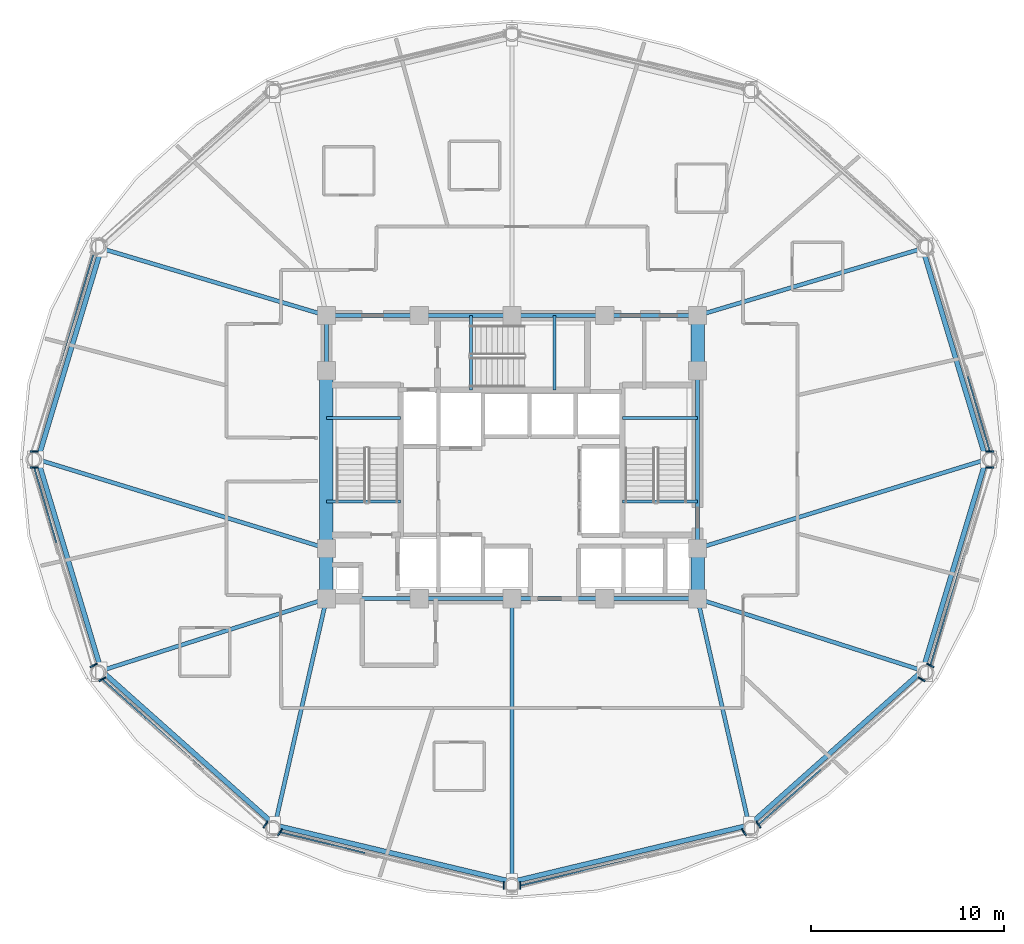
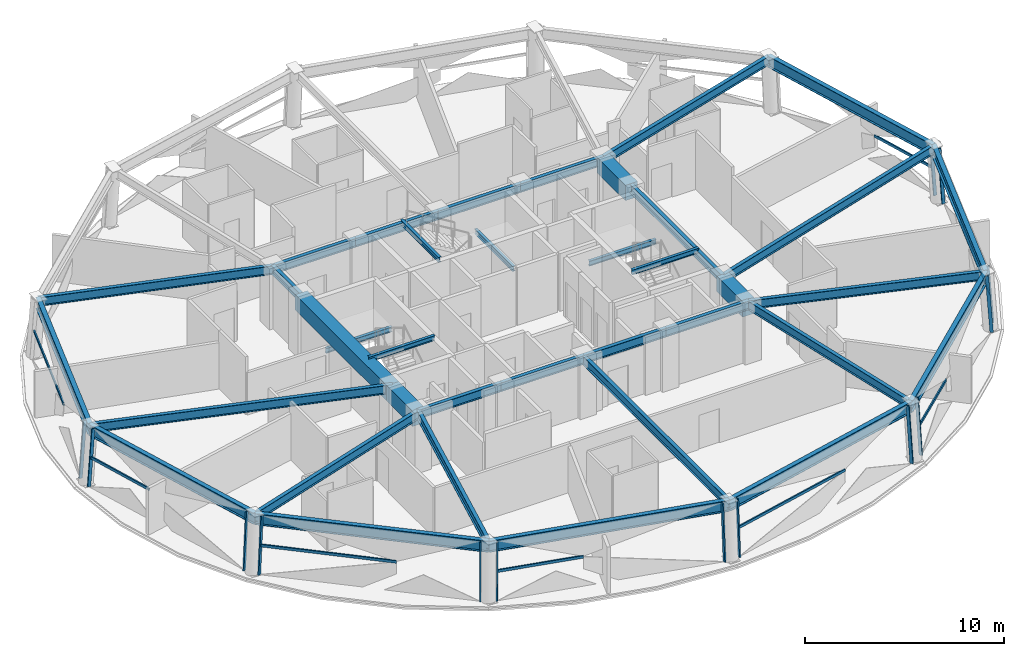
# One storey, part 2 of 12: 37 beams, 22 members, 8 elements without a shape of their own.
"""IFC4 building model written with IfcOpenShell, lengths in metres."""

from ifc_helpers import new_model, si_unit, direction, frame, origin, origin_2d, place, context, subcontext, project, spatial, rectangle, hollow_rectangle, i_section, extrude, material, layer, layer_set, material_profile, profile_set, type_object, element, aggregate, save


model = new_model("IFC4")

# Units and contexts
model_context = context("Model", 3, precision=1e-05, world=origin(), true_north=direction((0.0, 1.0)))
body_context = subcontext(model_context, "Body", "Model", "MODEL_VIEW")
ifc_project = project(units=[si_unit("LENGTHUNIT", "METRE"), si_unit("AREAUNIT", "SQUARE_METRE"), si_unit("VOLUMEUNIT", "CUBIC_METRE"), si_unit("PLANEANGLEUNIT", "RADIAN"), si_unit("MASSUNIT", "GRAM", prefix="KILO")], contexts=[model_context])

# Site, building, storey
site_placement = place(None, origin())
site = spatial("IfcSite", under=ifc_project, at=site_placement, CompositionType="ELEMENT")
building_placement = place(site_placement, origin())
building = spatial("IfcBuilding", under=site, at=building_placement, Name="Vantalir Tower", CompositionType="ELEMENT")
storey_placement = place(building_placement, frame((0.0, 0.0, 160.949951171875)))
storey = spatial("IfcBuildingStorey", under=building, at=storey_placement, Name="L40", CompositionType="ELEMENT", Elevation=160.949951171875)

# Beams
ifc_material_1 = material(Name="Concrete C60/75", Category="concrete")
ifc_material_profile_1 = material_profile(ifc_material_1, rectangle(XDim=0.699951171875, YDim=0.949951171875, at=origin_2d()), Name="Concrete C60/75")
ifc_profile_set_1 = profile_set([ifc_material_profile_1], Name="Concrete C60/75")
beam_type_1 = type_object("IfcBeamType", Name="BM-CB-700x950", PredefinedType="USERDEFINED", material=ifc_profile_set_1)
beam_1_placement = place(storey_placement, frame((41.10009765625, 17.800048828125, 3.094970703125), z_axis=(0.0, 1.0, 0.0), x_axis=(-1.0, 0.0, 0.0)))
element("IfcBeam", 1, at=beam_1_placement, inside=storey, type_object=beam_type_1, Name="L40 Core Coupling Girder 05", ObjectType="GIRDER", PredefinedType="USERDEFINED", context=body_context, shape_type="SweptSolid", body=[
    extrude(rectangle(XDim=0.699951171875, YDim=0.949951171875, at=origin_2d()), origin(), (0.0, 0.0, 1.0), 2.599853515625),
])
beam_2_placement = place(storey_placement, frame((41.10009765625, 29.60009765625, 3.094970703125), z_axis=(0.0, 1.0, 0.0), x_axis=(-1.0, 0.0, 0.0)))
element("IfcBeam", 2, at=beam_2_placement, inside=storey, type_object=beam_type_1, Name="L40 Core Coupling Girder 07", ObjectType="GIRDER", PredefinedType="USERDEFINED", context=body_context, shape_type="SweptSolid", body=[
    extrude(rectangle(XDim=0.699951171875, YDim=0.949951171875, at=origin_2d()), origin(), (0.0, 0.0, 1.0), 2.849853515625),
])
beam_3_placement = place(storey_placement, frame((21.89990234375, 29.60009765625, 3.094970703125), z_axis=(0.0, -1.0, 0.0), x_axis=(1.0, 0.0, 0.0)))
element("IfcBeam", 3, at=beam_3_placement, inside=storey, type_object=beam_type_1, Name="L40 Core Coupling Girder 13", ObjectType="GIRDER", PredefinedType="USERDEFINED", context=body_context, shape_type="SweptSolid", body=[
    extrude(rectangle(XDim=0.699951171875, YDim=0.949951171875, at=origin_2d()), origin(), (0.0, 0.0, 1.0), 9.2001953125),
])
beam_4_placement = place(storey_placement, frame((21.89990234375, 20.39990234375, 3.094970703125), z_axis=(0.0, -1.0, 0.0), x_axis=(1.0, 0.0, 0.0)))
element("IfcBeam", 4, at=beam_4_placement, inside=storey, type_object=beam_type_1, Name="L40 Core Coupling Girder 14", ObjectType="GIRDER", PredefinedType="USERDEFINED", context=body_context, shape_type="SweptSolid", body=[
    extrude(rectangle(XDim=0.699951171875, YDim=0.949951171875, at=origin_2d()), origin(), (0.0, 0.0, 1.0), 2.599853515625),
])
ifc_material_2 = material(Name="Steel S355", Category="steel")
ifc_material_profile_2 = material_profile(ifc_material_2, i_section(OverallWidth=0.166015625, OverallDepth=0.306884765625, WebThickness=0.006591796875, FlangeThickness=0.01171875, at=origin_2d()), Name="Steel S355")
ifc_profile_set_2 = profile_set([ifc_material_profile_2], Name="Steel S355")
beam_type_2 = type_object("IfcBeamType", Name="BM-JS-305x165", PredefinedType="JOIST", material=ifc_profile_set_2)
for number, where, z_axis, x_axis, name in (
    (5, (21.89990234375, 22.8349609375, 3.595947265625), (1.0, 0.0, 0.0), (0.0, 1.0, 0.0), "L41 Stair ST1 Well Nosing Trimmer Beam"),
    (6, (21.89990234375, 27.14501953125, 1.52197265625), (1.0, 0.0, 0.0), (0.0, 1.0, 0.0), "L40 Stair ST1 Half-Landing Support Beam"),
):
    element("IfcBeam", number, at=place(storey_placement, frame(where, z_axis=z_axis, x_axis=x_axis)), inside=storey, type_object=beam_type_2, Name=name, PredefinedType="JOIST", context=body_context, shape_type="SweptSolid", body=[
        extrude(i_section(OverallWidth=0.166015625, OverallDepth=0.306884765625, WebThickness=0.006591796875, FlangeThickness=0.01171875, at=origin_2d()), origin(), (0.0, 0.0, 1.0), 3.840087890625),
    ])
for number, where, z_axis, x_axis, name in (
    (7, (37.2099609375, 22.8349609375, 3.595947265625), (1.0, 0.0, 0.0), (0.0, 1.0, 0.0), "L41 Stair ST2 Well Nosing Trimmer Beam"),
    (8, (37.2099609375, 27.14501953125, 1.52197265625), (1.0, 0.0, 0.0), (0.0, 1.0, 0.0), "L40 Stair ST2 Half-Landing Support Beam"),
):
    element("IfcBeam", number, at=place(storey_placement, frame(where, z_axis=z_axis, x_axis=x_axis)), inside=storey, type_object=beam_type_2, Name=name, PredefinedType="JOIST", context=body_context, shape_type="SweptSolid", body=[
        extrude(i_section(OverallWidth=0.166015625, OverallDepth=0.306884765625, WebThickness=0.006591796875, FlangeThickness=0.01171875, at=origin_2d()), origin(), (0.0, 0.0, 1.0), 3.89013671875),
    ])
for number, where, z_axis, x_axis, name in (
    (9, (29.385009765625, 28.60009765625, 3.595947265625), (0.0, 1.0, 0.0), (-1.0, 0.0, 0.0), "L41 Stair ST3 Well Nosing Trimmer Beam"),
    (10, (33.695068359375, 28.60009765625, 1.52197265625), (0.0, 1.0, 0.0), (-1.0, 0.0, 0.0), "L40 Stair ST3 Half-Landing Support Beam"),
):
    element("IfcBeam", number, at=place(storey_placement, frame(where, z_axis=z_axis, x_axis=x_axis)), inside=storey, type_object=beam_type_2, Name=name, PredefinedType="JOIST", context=body_context, shape_type="SweptSolid", body=[
        extrude(i_section(OverallWidth=0.166015625, OverallDepth=0.306884765625, WebThickness=0.006591796875, FlangeThickness=0.01171875, at=origin_2d()), origin(), (0.0, 0.0, 1.0), 3.849853515625),
    ])
ifc_material_profile_3 = material_profile(ifc_material_2, i_section(OverallWidth=0.2109375, OverallDepth=0.5390625, WebThickness=0.01171875, FlangeThickness=0.018798828125, at=origin_2d()), Name="Steel S355")
ifc_profile_set_3 = profile_set([ifc_material_profile_3], Name="Steel S355")
beam_type_3 = type_object("IfcBeamType", Name="BM-RB-533x210", PredefinedType="BEAM", material=ifc_profile_set_3)
for number, where, z_axis, x_axis, name in (
    (11, (21.89990234375, 17.800048828125, 3.301025390625), (1.0, 0.0, 0.0), (0.0, 1.0, 0.0), "L40 Core Coupling Girder 01"),
    (12, (26.699951171875, 17.800048828125, 3.301025390625), (1.0, 0.0, 0.0), (0.0, 1.0, 0.0), "L40 Core Coupling Girder 02"),
    (13, (31.5, 17.800048828125, 3.301025390625), (1.0, 0.0, 0.0), (0.0, 1.0, 0.0), "L40 Core Coupling Girder 03"),
    (14, (36.300048828125, 17.800048828125, 3.301025390625), (1.0, 0.0, 0.0), (0.0, 1.0, 0.0), "L40 Core Coupling Girder 04"),
):
    element("IfcBeam", number, at=place(storey_placement, frame(where, z_axis=z_axis, x_axis=x_axis)), inside=storey, type_object=beam_type_3, Name=name, PredefinedType="BEAM", context=body_context, shape_type="SweptSolid", body=[
        extrude(i_section(OverallWidth=0.2109375, OverallDepth=0.5390625, WebThickness=0.01171875, FlangeThickness=0.018798828125, at=origin_2d()), origin(), (0.0, 0.0, 1.0), 4.800048828125),
    ])
beam_5_placement = place(storey_placement, frame((41.10009765625, 20.39990234375, 3.301025390625), z_axis=(0.0, 1.0, 0.0), x_axis=(-1.0, 0.0, 0.0)))
element("IfcBeam", 15, at=beam_5_placement, inside=storey, type_object=beam_type_3, Name="L40 Core Coupling Girder 06", PredefinedType="BEAM", context=body_context, shape_type="SweptSolid", body=[
    extrude(i_section(OverallWidth=0.2109375, OverallDepth=0.5390625, WebThickness=0.01171875, FlangeThickness=0.018798828125, at=origin_2d()), origin(), (0.0, 0.0, 1.0), 9.2001953125),
])
for number, where, z_axis, x_axis, name in (
    (16, (41.10009765625, 32.449951171875, 3.301025390625), (-1.0, 0.0, 0.0), (0.0, -1.0, 0.0), "L40 Core Coupling Girder 08"),
    (17, (36.300048828125, 32.449951171875, 3.301025390625), (-1.0, 0.0, 0.0), (0.0, -1.0, 0.0), "L40 Core Coupling Girder 09"),
    (18, (31.5, 32.449951171875, 3.301025390625), (-1.0, 0.0, 0.0), (0.0, -1.0, 0.0), "L40 Core Coupling Girder 10"),
    (19, (26.699951171875, 32.449951171875, 3.301025390625), (-1.0, 0.0, 0.0), (0.0, -1.0, 0.0), "L40 Core Coupling Girder 11"),
):
    element("IfcBeam", number, at=place(storey_placement, frame(where, z_axis=z_axis, x_axis=x_axis)), inside=storey, type_object=beam_type_3, Name=name, PredefinedType="BEAM", context=body_context, shape_type="SweptSolid", body=[
        extrude(i_section(OverallWidth=0.2109375, OverallDepth=0.5390625, WebThickness=0.01171875, FlangeThickness=0.018798828125, at=origin_2d()), origin(), (0.0, 0.0, 1.0), 4.800048828125),
    ])
beam_6_placement = place(storey_placement, frame((21.89990234375, 32.449951171875, 3.301025390625), z_axis=(0.0, -1.0, 0.0), x_axis=(1.0, 0.0, 0.0)))
element("IfcBeam", 20, at=beam_6_placement, inside=storey, type_object=beam_type_3, Name="L40 Core Coupling Girder 12", PredefinedType="BEAM", context=body_context, shape_type="SweptSolid", body=[
    extrude(i_section(OverallWidth=0.2109375, OverallDepth=0.5390625, WebThickness=0.01171875, FlangeThickness=0.018798828125, at=origin_2d()), origin(), (0.0, 0.0, 1.0), 2.849853515625),
])
beam_7_placement = place(storey_placement, frame((56.035888671875, 25.0, 3.301025390625), z_axis=(-0.955698583761, -0.294347102918, 0.0), x_axis=(0.294347102918, -0.955698583761, 0.0)))
element("IfcBeam", 21, at=beam_7_placement, inside=storey, type_object=beam_type_3, Name="L40 Radial Floor Beam 01", PredefinedType="BEAM", context=body_context, shape_type="SweptSolid", body=[
    extrude(i_section(OverallWidth=0.2109375, OverallDepth=0.5390625, WebThickness=0.01171875, FlangeThickness=0.018798828125, at=origin_2d()), origin(), (0.0, 0.0, 1.0), 15.628173828125),
])
for number, where, z_axis, x_axis, name in (
    (22, (52.7490234375, 35.924072265625, 3.301025390625), (-0.958290462824, -0.285796061659, 0.0), (0.285796061659, -0.958290462824, 0.0), "L40 Radial Floor Beam 02"),
    (23, (10.2509765625, 35.924072265625, 3.301025390625), (0.958290462824, -0.285796061659, 0.0), (0.285796061659, 0.958290462824, 0.0), "L40 Radial Floor Beam 06"),
):
    element("IfcBeam", number, at=place(storey_placement, frame(where, z_axis=z_axis, x_axis=x_axis)), inside=storey, type_object=beam_type_3, Name=name, PredefinedType="BEAM", context=body_context, shape_type="SweptSolid", body=[
        extrude(i_section(OverallWidth=0.2109375, OverallDepth=0.5390625, WebThickness=0.01171875, FlangeThickness=0.018798828125, at=origin_2d()), origin(), (0.0, 0.0, 1.0), 12.156005859375),
    ])
beam_8_placement = place(storey_placement, frame((6.964111328125, 25.0, 3.301025390625), z_axis=(0.955698583761, -0.294347102918, 0.0), x_axis=(0.294347102918, 0.955698583761, 0.0)))
element("IfcBeam", 24, at=beam_8_placement, inside=storey, type_object=beam_type_3, Name="L40 Radial Floor Beam 07", PredefinedType="BEAM", context=body_context, shape_type="SweptSolid", body=[
    extrude(i_section(OverallWidth=0.2109375, OverallDepth=0.5390625, WebThickness=0.01171875, FlangeThickness=0.018798828125, at=origin_2d()), origin(), (0.0, 0.0, 1.0), 15.628173828125),
])
beam_9_placement = place(storey_placement, frame((10.2509765625, 14.075927734375, 3.301025390625), z_axis=(0.952508018869, 0.30451350379, 0.0), x_axis=(-0.30451350379, 0.952508018869, 0.0)))
element("IfcBeam", 25, at=beam_9_placement, inside=storey, type_object=beam_type_3, Name="L40 Radial Floor Beam 08", PredefinedType="BEAM", context=body_context, shape_type="SweptSolid", body=[
    extrude(i_section(OverallWidth=0.2109375, OverallDepth=0.5390625, WebThickness=0.01171875, FlangeThickness=0.018798828125, at=origin_2d()), origin(), (0.0, 0.0, 1.0), 12.229736328125),
])
beam_10_placement = place(storey_placement, frame((19.23193359375, 6.0791015625, 3.301025390625), z_axis=(0.221946768122, 0.97505878393, 0.0), x_axis=(-0.97505878393, 0.221946768122, 0.0)))
element("IfcBeam", 26, at=beam_10_placement, inside=storey, type_object=beam_type_3, Name="L40 Radial Floor Beam 09", PredefinedType="BEAM", context=body_context, shape_type="SweptSolid", body=[
    extrude(i_section(OverallWidth=0.2109375, OverallDepth=0.5390625, WebThickness=0.01171875, FlangeThickness=0.018798828125, at=origin_2d()), origin(), (0.0, 0.0, 1.0), 12.020751953125),
])
beam_11_placement = place(storey_placement, frame((31.5, 3.152099609375, 3.301025390625), z_axis=(0.0, 1.0, 0.0), x_axis=(-1.0, 0.0, 0.0)))
element("IfcBeam", 27, at=beam_11_placement, inside=storey, type_object=beam_type_3, Name="L40 Radial Floor Beam 10", PredefinedType="BEAM", context=body_context, shape_type="SweptSolid", body=[
    extrude(i_section(OverallWidth=0.2109375, OverallDepth=0.5390625, WebThickness=0.01171875, FlangeThickness=0.018798828125, at=origin_2d()), origin(), (0.0, 0.0, 1.0), 14.64794921875),
])
beam_12_placement = place(storey_placement, frame((43.76806640625, 6.0791015625, 3.301025390625), z_axis=(-0.221946768122, 0.97505878393, 0.0), x_axis=(-0.97505878393, -0.221946768122, 0.0)))
element("IfcBeam", 28, at=beam_12_placement, inside=storey, type_object=beam_type_3, Name="L40 Radial Floor Beam 11", PredefinedType="BEAM", context=body_context, shape_type="SweptSolid", body=[
    extrude(i_section(OverallWidth=0.2109375, OverallDepth=0.5390625, WebThickness=0.01171875, FlangeThickness=0.018798828125, at=origin_2d()), origin(), (0.0, 0.0, 1.0), 12.020751953125),
])
beam_13_placement = place(storey_placement, frame((52.7490234375, 14.075927734375, 3.301025390625), z_axis=(-0.952508018869, 0.30451350379, 0.0), x_axis=(-0.30451350379, -0.952508018869, 0.0)))
element("IfcBeam", 29, at=beam_13_placement, inside=storey, type_object=beam_type_3, Name="L40 Radial Floor Beam 12", PredefinedType="BEAM", context=body_context, shape_type="SweptSolid", body=[
    extrude(i_section(OverallWidth=0.2109375, OverallDepth=0.5390625, WebThickness=0.01171875, FlangeThickness=0.018798828125, at=origin_2d()), origin(), (0.0, 0.0, 1.0), 12.229736328125),
])
ifc_material_3 = material(Name="Steel S460", Category="steel")
ifc_material_profile_4 = material_profile(ifc_material_3, i_section(OverallWidth=0.256103515625, OverallDepth=0.693115234375, WebThickness=0.014404296875, FlangeThickness=0.023681640625, at=origin_2d()), Name="Steel S460")
ifc_profile_set_4 = profile_set([ifc_material_profile_4], Name="Steel S460")
beam_type_4 = type_object("IfcBeamType", Name="BM-RG-686x254", PredefinedType="USERDEFINED", material=ifc_profile_set_4)
for number, where, z_axis, x_axis, name in (
    (30, (56.035888671875, 25.0, 3.22412109375), (-0.288123336704, 0.957593307645, 0.0), (-0.957593307645, -0.288123336704, 0.0), "L40 Circumferential Ring Girder 01"),
    (31, (10.2509765625, 35.924072265625, 3.22412109375), (-0.288123336704, -0.957593307645, 0.0), (0.957593307645, -0.288123336704, 0.0), "L40 Circumferential Ring Girder 06"),
    (32, (6.964111328125, 25.0, 3.22412109375), (0.288123336704, -0.957593307645, 0.0), (0.957593307645, 0.288123336704, 0.0), "L40 Circumferential Ring Girder 07"),
):
    element("IfcBeam", number, at=place(storey_placement, frame(where, z_axis=z_axis, x_axis=x_axis)), inside=storey, type_object=beam_type_4, Name=name, ObjectType="GIRDER", PredefinedType="USERDEFINED", context=body_context, shape_type="SweptSolid", body=[
        extrude(i_section(OverallWidth=0.256103515625, OverallDepth=0.693115234375, WebThickness=0.014404296875, FlangeThickness=0.023681640625, at=origin_2d()), origin(), (0.0, 0.0, 1.0), 11.407958984375),
    ])
beam_14_placement = place(storey_placement, frame((10.2509765625, 14.075927734375, 3.22412109375), z_axis=(0.746841140724, -0.66500248911, 0.0), x_axis=(0.66500248911, 0.746841140724, 0.0)))
element("IfcBeam", 33, at=beam_14_placement, inside=storey, type_object=beam_type_4, Name="L40 Circumferential Ring Girder 08", ObjectType="GIRDER", PredefinedType="USERDEFINED", context=body_context, shape_type="SweptSolid", body=[
    extrude(i_section(OverallWidth=0.256103515625, OverallDepth=0.693115234375, WebThickness=0.014404296875, FlangeThickness=0.023681640625, at=origin_2d()), origin(), (0.0, 0.0, 1.0), 12.025146484375),
])
for number, where, z_axis, x_axis, name in (
    (34, (19.23193359375, 6.0791015625, 3.22412109375), (0.972698315596, -0.232073235934, 0.0), (0.232073235934, 0.972698315596, 0.0), "L40 Circumferential Ring Girder 09"),
    (35, (31.5, 3.152099609375, 3.22412109375), (0.972698315596, 0.232073235934, 0.0), (-0.232073235934, 0.972698315596, 0.0), "L40 Circumferential Ring Girder 10"),
):
    element("IfcBeam", number, at=place(storey_placement, frame(where, z_axis=z_axis, x_axis=x_axis)), inside=storey, type_object=beam_type_4, Name=name, ObjectType="GIRDER", PredefinedType="USERDEFINED", context=body_context, shape_type="SweptSolid", body=[
        extrude(i_section(OverallWidth=0.256103515625, OverallDepth=0.693115234375, WebThickness=0.014404296875, FlangeThickness=0.023681640625, at=origin_2d()), origin(), (0.0, 0.0, 1.0), 12.6123046875),
    ])
beam_15_placement = place(storey_placement, frame((43.76806640625, 6.0791015625, 3.22412109375), z_axis=(0.746841140724, 0.66500248911, 0.0), x_axis=(-0.66500248911, 0.746841140724, 0.0)))
element("IfcBeam", 36, at=beam_15_placement, inside=storey, type_object=beam_type_4, Name="L40 Circumferential Ring Girder 11", ObjectType="GIRDER", PredefinedType="USERDEFINED", context=body_context, shape_type="SweptSolid", body=[
    extrude(i_section(OverallWidth=0.256103515625, OverallDepth=0.693115234375, WebThickness=0.014404296875, FlangeThickness=0.023681640625, at=origin_2d()), origin(), (0.0, 0.0, 1.0), 12.025146484375),
])
beam_16_placement = place(storey_placement, frame((52.7490234375, 14.075927734375, 3.22412109375), z_axis=(0.288123336704, 0.957593307645, 0.0), x_axis=(-0.957593307645, 0.288123336704, 0.0)))
element("IfcBeam", 37, at=beam_16_placement, inside=storey, type_object=beam_type_4, Name="L40 Circumferential Ring Girder 12", ObjectType="GIRDER", PredefinedType="USERDEFINED", context=body_context, shape_type="SweptSolid", body=[
    extrude(i_section(OverallWidth=0.256103515625, OverallDepth=0.693115234375, WebThickness=0.014404296875, FlangeThickness=0.023681640625, at=origin_2d()), origin(), (0.0, 0.0, 1.0), 11.407958984375),
])

# Curtain wall, member
ifc_material_4 = material(Name="Champagne-silver PVDF aluminium and double-silver Low-E glass", Category="aluminium")
ifc_layer = layer(ifc_material_4, 0.199951171875)
ifc_layer_set = layer_set([ifc_layer], Name="Champagne-silver PVDF aluminium and double-silver Low-E glass")
curtain_wall_type = type_object("IfcCurtainWallType", Name="CW-DIAMOND-Z2", PredefinedType="USERDEFINED", material=ifc_layer_set)
curtain_wall_1_placement = place(storey_placement, origin())
curtain_wall_1 = element("IfcCurtainWall", 38, at=curtain_wall_1_placement, inside=storey, type_object=curtain_wall_type, Name="L40 Quilted Pyramid-Diamond Curtain Wall S01", ObjectType="UNITISED CURTAIN WALL", PredefinedType="USERDEFINED")
ifc_material_5 = material(Name="Champagne-silver PVDF aluminium 6063-T6", Category="aluminium")
ifc_material_profile_5 = material_profile(ifc_material_5, hollow_rectangle(XDim=0.074951171875, YDim=0.179931640625, WallThickness=0.00390625, at=origin_2d()), Name="Champagne-silver PVDF aluminium 6063-T6")
ifc_profile_set_5 = profile_set([ifc_material_profile_5], Name="Champagne-silver PVDF aluminium 6063-T6")
member_type_1 = type_object("IfcMemberType", Name="CWM-180x75", PredefinedType="MULLION", material=ifc_profile_set_5)
member_1_placement = place(storey_placement, frame((56.345947265625, 25.4208984375, 0.045166015625), z_axis=(-0.070749721745, 0.0, 0.997494098666), x_axis=(0.0, -1.0, 0.0)))
member_1 = element("IfcMember", 39, at=member_1_placement, type_object=member_type_1, Name="CW-L40-S01 Mullion 1", PredefinedType="MULLION", context=body_context, shape_type="SweptSolid", body=[
    extrude(hollow_rectangle(XDim=0.074951171875, YDim=0.179931640625, WallThickness=0.00390625, at=origin_2d()), origin(), (0.0, 0.0, 1.0), 3.48876953125),
])

curtain_wall_2_placement = place(storey_placement, origin())
curtain_wall_2 = element("IfcCurtainWall", 40, at=curtain_wall_2_placement, inside=storey, type_object=curtain_wall_type, Name="L40 Quilted Pyramid-Diamond Curtain Wall S06", ObjectType="UNITISED CURTAIN WALL", PredefinedType="USERDEFINED")
member_2_placement = place(storey_placement, frame((6.654052734375, 25.4208984375, 0.045166015625), z_axis=(0.070749721745, 0.0, 0.997494098666), x_axis=(0.0, 1.0, 0.0)))
member_2 = element("IfcMember", 41, at=member_2_placement, type_object=member_type_1, Name="CW-L40-S06 Mullion 2", PredefinedType="MULLION", context=body_context, shape_type="SweptSolid", body=[
    extrude(hollow_rectangle(XDim=0.074951171875, YDim=0.179931640625, WallThickness=0.00390625, at=origin_2d()), origin(), (0.0, 0.0, 1.0), 3.48876953125),
])

# Curtain wall, members
curtain_wall_3_placement = place(storey_placement, origin())
curtain_wall_3 = element("IfcCurtainWall", 42, at=curtain_wall_3_placement, inside=storey, type_object=curtain_wall_type, Name="L40 Quilted Pyramid-Diamond Curtain Wall S07", ObjectType="UNITISED CURTAIN WALL", PredefinedType="USERDEFINED")
member_3_placement = place(storey_placement, frame((6.654052734375, 24.5791015625, 0.045166015625), z_axis=(0.070749721745, 0.0, 0.997494098666), x_axis=(0.0, 1.0, 0.0)))
member_3 = element("IfcMember", 43, at=member_3_placement, type_object=member_type_1, Name="CW-L40-S07 Mullion 1", PredefinedType="MULLION", context=body_context, shape_type="SweptSolid", body=[
    extrude(hollow_rectangle(XDim=0.074951171875, YDim=0.179931640625, WallThickness=0.00390625, at=origin_2d()), origin(), (0.0, 0.0, 1.0), 3.48876953125),
])
member_4_placement = place(storey_placement, frame((9.74609375, 14.291015625, 0.045166015625), z_axis=(0.061309593785, 0.031844594945, 0.9976106733), x_axis=(-0.460938024483, 0.887432328454, 0.0)))
member_4 = element("IfcMember", 44, at=member_4_placement, type_object=member_type_1, Name="CW-L40-S07 Mullion 2", PredefinedType="MULLION", context=body_context, shape_type="SweptSolid", body=[
    extrude(hollow_rectangle(XDim=0.074951171875, YDim=0.179931640625, WallThickness=0.00390625, at=origin_2d()), origin(), (0.0, 0.0, 1.0), 3.48828125),
])

curtain_wall_4_placement = place(storey_placement, origin())
curtain_wall_4 = element("IfcCurtainWall", 45, at=curtain_wall_4_placement, inside=storey, type_object=curtain_wall_type, Name="L40 Quilted Pyramid-Diamond Curtain Wall S08", ObjectType="UNITISED CURTAIN WALL", PredefinedType="USERDEFINED")
member_5_placement = place(storey_placement, frame((10.200927734375, 13.576904296875, 0.045166015625), z_axis=(0.061379318381, 0.031844458225, 0.997606390194), x_axis=(-0.460523956902, 0.887647275171, 0.0)))
member_5 = element("IfcMember", 46, at=member_5_placement, type_object=member_type_1, Name="CW-L40-S08 Mullion 1", PredefinedType="MULLION", context=body_context, shape_type="SweptSolid", body=[
    extrude(hollow_rectangle(XDim=0.074951171875, YDim=0.179931640625, WallThickness=0.00390625, at=origin_2d()), origin(), (0.0, 0.0, 1.0), 3.48828125),
])
member_6_placement = place(storey_placement, frame((18.68505859375, 6.01611328125, 0.045166015625), z_axis=(0.035562549172, 0.055023944192, 0.997851527364), x_axis=(-0.83985671635, 0.542808157641, 0.0)))
member_6 = element("IfcMember", 47, at=member_6_placement, type_object=member_type_1, Name="CW-L40-S08 Mullion 2", PredefinedType="MULLION", context=body_context, shape_type="SweptSolid", body=[
    extrude(hollow_rectangle(XDim=0.074951171875, YDim=0.179931640625, WallThickness=0.00390625, at=origin_2d()), origin(), (0.0, 0.0, 1.0), 3.487548828125),
])

curtain_wall_5_placement = place(storey_placement, origin())
curtain_wall_5 = element("IfcCurtainWall", 48, at=curtain_wall_5_placement, inside=storey, type_object=curtain_wall_type, Name="L40 Quilted Pyramid-Diamond Curtain Wall S09", ObjectType="UNITISED CURTAIN WALL", PredefinedType="USERDEFINED")
member_7_placement = place(storey_placement, frame((19.44091796875, 5.62109375, 0.045166015625), z_axis=(0.035562549172, 0.055023944192, 0.997851527364), x_axis=(-0.83985671635, 0.542808157641, 0.0)))
member_7 = element("IfcMember", 49, at=member_7_placement, type_object=member_type_1, Name="CW-L40-S09 Mullion 1", PredefinedType="MULLION", context=body_context, shape_type="SweptSolid", body=[
    extrude(hollow_rectangle(XDim=0.074951171875, YDim=0.179931640625, WallThickness=0.00390625, at=origin_2d()), origin(), (0.0, 0.0, 1.0), 3.487548828125),
])
member_8_placement = place(storey_placement, frame((31.072021484375, 2.843017578125, 0.045166015625), z_axis=(0.0, 0.063363366299, 0.997990522907), x_axis=(-1.0, 0.0, 0.0)))
member_8 = element("IfcMember", 50, at=member_8_placement, type_object=member_type_1, Name="CW-L40-S09 Mullion 2", PredefinedType="MULLION", context=body_context, shape_type="SweptSolid", body=[
    extrude(hollow_rectangle(XDim=0.074951171875, YDim=0.179931640625, WallThickness=0.00390625, at=origin_2d()), origin(), (0.0, 0.0, 1.0), 3.487060546875),
])

curtain_wall_6_placement = place(storey_placement, origin())
curtain_wall_6 = element("IfcCurtainWall", 51, at=curtain_wall_6_placement, inside=storey, type_object=curtain_wall_type, Name="L40 Quilted Pyramid-Diamond Curtain Wall S10", ObjectType="UNITISED CURTAIN WALL", PredefinedType="USERDEFINED")
member_9_placement = place(storey_placement, frame((31.927978515625, 2.843017578125, 0.045166015625), z_axis=(0.0, 0.063363366299, 0.997990522907), x_axis=(-1.0, 0.0, 0.0)))
member_9 = element("IfcMember", 52, at=member_9_placement, type_object=member_type_1, Name="CW-L40-S10 Mullion 1", PredefinedType="MULLION", context=body_context, shape_type="SweptSolid", body=[
    extrude(hollow_rectangle(XDim=0.074951171875, YDim=0.179931640625, WallThickness=0.00390625, at=origin_2d()), origin(), (0.0, 0.0, 1.0), 3.487060546875),
])
member_10_placement = place(storey_placement, frame((43.55908203125, 5.62109375, 0.045166015625), z_axis=(-0.035562549172, 0.055023944192, 0.997851527364), x_axis=(-0.83985671635, -0.542808157641, 0.0)))
member_10 = element("IfcMember", 53, at=member_10_placement, type_object=member_type_1, Name="CW-L40-S10 Mullion 2", PredefinedType="MULLION", context=body_context, shape_type="SweptSolid", body=[
    extrude(hollow_rectangle(XDim=0.074951171875, YDim=0.179931640625, WallThickness=0.00390625, at=origin_2d()), origin(), (0.0, 0.0, 1.0), 3.487548828125),
])

curtain_wall_7_placement = place(storey_placement, origin())
curtain_wall_7 = element("IfcCurtainWall", 54, at=curtain_wall_7_placement, inside=storey, type_object=curtain_wall_type, Name="L40 Quilted Pyramid-Diamond Curtain Wall S11", ObjectType="UNITISED CURTAIN WALL", PredefinedType="USERDEFINED")
member_11_placement = place(storey_placement, frame((44.31494140625, 6.01611328125, 0.045166015625), z_axis=(-0.035562549172, 0.055023944192, 0.997851527364), x_axis=(-0.83985671635, -0.542808157641, 0.0)))
member_11 = element("IfcMember", 55, at=member_11_placement, type_object=member_type_1, Name="CW-L40-S11 Mullion 1", PredefinedType="MULLION", context=body_context, shape_type="SweptSolid", body=[
    extrude(hollow_rectangle(XDim=0.074951171875, YDim=0.179931640625, WallThickness=0.00390625, at=origin_2d()), origin(), (0.0, 0.0, 1.0), 3.487548828125),
])
member_12_placement = place(storey_placement, frame((52.799072265625, 13.576904296875, 0.045166015625), z_axis=(-0.061379318381, 0.031844458225, 0.997606390194), x_axis=(-0.460523956902, -0.887647275171, 0.0)))
member_12 = element("IfcMember", 56, at=member_12_placement, type_object=member_type_1, Name="CW-L40-S11 Mullion 2", PredefinedType="MULLION", context=body_context, shape_type="SweptSolid", body=[
    extrude(hollow_rectangle(XDim=0.074951171875, YDim=0.179931640625, WallThickness=0.00390625, at=origin_2d()), origin(), (0.0, 0.0, 1.0), 3.48828125),
])

curtain_wall_8_placement = place(storey_placement, origin())
curtain_wall_8 = element("IfcCurtainWall", 57, at=curtain_wall_8_placement, inside=storey, type_object=curtain_wall_type, Name="L40 Quilted Pyramid-Diamond Curtain Wall S12", ObjectType="UNITISED CURTAIN WALL", PredefinedType="USERDEFINED")
member_13_placement = place(storey_placement, frame((53.25390625, 14.291015625, 0.045166015625), z_axis=(-0.061309593785, 0.031844594945, 0.9976106733), x_axis=(-0.460938024483, -0.887432328454, 0.0)))
member_13 = element("IfcMember", 58, at=member_13_placement, type_object=member_type_1, Name="CW-L40-S12 Mullion 1", PredefinedType="MULLION", context=body_context, shape_type="SweptSolid", body=[
    extrude(hollow_rectangle(XDim=0.074951171875, YDim=0.179931640625, WallThickness=0.00390625, at=origin_2d()), origin(), (0.0, 0.0, 1.0), 3.48828125),
])
member_14_placement = place(storey_placement, frame((56.345947265625, 24.5791015625, 0.045166015625), z_axis=(-0.070749721745, 0.0, 0.997494098666), x_axis=(0.0, -1.0, 0.0)))
member_14 = element("IfcMember", 59, at=member_14_placement, type_object=member_type_1, Name="CW-L40-S12 Mullion 2", PredefinedType="MULLION", context=body_context, shape_type="SweptSolid", body=[
    extrude(hollow_rectangle(XDim=0.074951171875, YDim=0.179931640625, WallThickness=0.00390625, at=origin_2d()), origin(), (0.0, 0.0, 1.0), 3.48876953125),
])

# Member
ifc_material_profile_6 = material_profile(ifc_material_5, hollow_rectangle(XDim=0.074951171875, YDim=0.159912109375, WallThickness=0.00390625, at=origin_2d()), Name="Champagne-silver PVDF aluminium 6063-T6")
ifc_profile_set_6 = profile_set([ifc_material_profile_6], Name="Champagne-silver PVDF aluminium 6063-T6")
member_type_2 = type_object("IfcMemberType", Name="CWT-160x75", PredefinedType="USERDEFINED", material=ifc_profile_set_6)
member_15_placement = place(storey_placement, frame((56.222900390625, 25.4208984375, 1.78515625), z_axis=(-0.282387794691, 0.959300335353, 0.0), x_axis=(-0.959300335353, -0.282387794691, 0.0)))
member_15 = element("IfcMember", 60, at=member_15_placement, type_object=member_type_2, Name="CW-L40-S01 Pyramid Fold Ridge Transom", ObjectType="TRANSOM", PredefinedType="USERDEFINED", context=body_context, shape_type="SweptSolid", body=[
    extrude(hollow_rectangle(XDim=0.074951171875, YDim=0.159912109375, WallThickness=0.00390625, at=origin_2d()), origin(), (0.0, 0.0, 1.0), 4.058349609375),
])

aggregate(curtain_wall_1, [member_1, member_15])

member_16_placement = place(storey_placement, frame((9.85302734375, 35.653076171875, 1.78515625), z_axis=(-0.291249580519, -0.956647104134, 0.0), x_axis=(0.956647104134, -0.291249580519, 0.0)))
member_16 = element("IfcMember", 61, at=member_16_placement, type_object=member_type_2, Name="CW-L40-S06 Pyramid Fold Ridge Transom", ObjectType="TRANSOM", PredefinedType="USERDEFINED", context=body_context, shape_type="SweptSolid", body=[
    extrude(hollow_rectangle(XDim=0.074951171875, YDim=0.159912109375, WallThickness=0.00390625, at=origin_2d()), origin(), (0.0, 0.0, 1.0), 6.62646484375),
])

aggregate(curtain_wall_2, [member_2, member_16])

member_17_placement = place(storey_placement, frame((6.777099609375, 24.5791015625, 1.78515625), z_axis=(0.282387794691, -0.959300335353, 0.0), x_axis=(0.959300335353, 0.282387794691, 0.0)))
member_17 = element("IfcMember", 62, at=member_17_placement, type_object=member_type_2, Name="CW-L40-S07 Pyramid Fold Ridge Transom", ObjectType="TRANSOM", PredefinedType="USERDEFINED", context=body_context, shape_type="SweptSolid", body=[
    extrude(hollow_rectangle(XDim=0.074951171875, YDim=0.159912109375, WallThickness=0.00390625, at=origin_2d()), origin(), (0.0, 0.0, 1.0), 4.058349609375),
])

aggregate(curtain_wall_3, [member_3, member_4, member_17])

member_18_placement = place(storey_placement, frame((10.30810546875, 13.633056640625, 1.78515625), z_axis=(0.74422896079, -0.667924587001, 0.0), x_axis=(0.667924587001, 0.74422896079, 0.0)))
member_18 = element("IfcMember", 63, at=member_18_placement, type_object=member_type_2, Name="CW-L40-S08 Pyramid Fold Ridge Transom", ObjectType="TRANSOM", PredefinedType="USERDEFINED", context=body_context, shape_type="SweptSolid", body=[
    extrude(hollow_rectangle(XDim=0.074951171875, YDim=0.159912109375, WallThickness=0.00390625, at=origin_2d()), origin(), (0.0, 0.0, 1.0), 7.007080078125),
])

aggregate(curtain_wall_4, [member_5, member_6, member_18])

member_19_placement = place(storey_placement, frame((19.5029296875, 5.717041015625, 1.78515625), z_axis=(0.971382105926, -0.237522218513, 0.0), x_axis=(0.237522218513, 0.971382105926, 0.0)))
member_19 = element("IfcMember", 64, at=member_19_placement, type_object=member_type_2, Name="CW-L40-S09 Pyramid Fold Ridge Transom", ObjectType="TRANSOM", PredefinedType="USERDEFINED", context=body_context, shape_type="SweptSolid", body=[
    extrude(hollow_rectangle(XDim=0.074951171875, YDim=0.159912109375, WallThickness=0.00390625, at=origin_2d()), origin(), (0.0, 0.0, 1.0), 4.517578125),
])

aggregate(curtain_wall_5, [member_7, member_8, member_19])

member_20_placement = place(storey_placement, frame((31.927978515625, 2.9541015625, 1.78515625), z_axis=(0.97340761892, 0.229079914941, 0.0), x_axis=(-0.229079914941, 0.97340761892, 0.0)))
member_20 = element("IfcMember", 65, at=member_20_placement, type_object=member_type_2, Name="CW-L40-S10 Pyramid Fold Ridge Transom", ObjectType="TRANSOM", PredefinedType="USERDEFINED", context=body_context, shape_type="SweptSolid", body=[
    extrude(hollow_rectangle(XDim=0.074951171875, YDim=0.159912109375, WallThickness=0.00390625, at=origin_2d()), origin(), (0.0, 0.0, 1.0), 7.377197265625),
])

aggregate(curtain_wall_6, [member_9, member_10, member_20])

member_21_placement = place(storey_placement, frame((44.2529296875, 6.112060546875, 1.78515625), z_axis=(0.750298604255, 0.661099088226, 0.0), x_axis=(-0.661099088226, 0.750298604255, 0.0)))
member_21 = element("IfcMember", 66, at=member_21_placement, type_object=member_type_2, Name="CW-L40-S11 Pyramid Fold Ridge Transom", ObjectType="TRANSOM", PredefinedType="USERDEFINED", context=body_context, shape_type="SweptSolid", body=[
    extrude(hollow_rectangle(XDim=0.074951171875, YDim=0.159912109375, WallThickness=0.00390625, at=origin_2d()), origin(), (0.0, 0.0, 1.0), 4.297119140625),
])

aggregate(curtain_wall_7, [member_11, member_12, member_21])

member_22_placement = place(storey_placement, frame((53.14697265625, 14.346923828125, 1.78515625), z_axis=(0.291249580519, 0.956647104134, 0.0), x_axis=(-0.956647104134, 0.291249580519, 0.0)))
member_22 = element("IfcMember", 67, at=member_22_placement, type_object=member_type_2, Name="CW-L40-S12 Pyramid Fold Ridge Transom", ObjectType="TRANSOM", PredefinedType="USERDEFINED", context=body_context, shape_type="SweptSolid", body=[
    extrude(hollow_rectangle(XDim=0.074951171875, YDim=0.159912109375, WallThickness=0.00390625, at=origin_2d()), origin(), (0.0, 0.0, 1.0), 6.62646484375),
])

aggregate(curtain_wall_8, [member_13, member_14, member_22])

save(model, "model.ifc")
